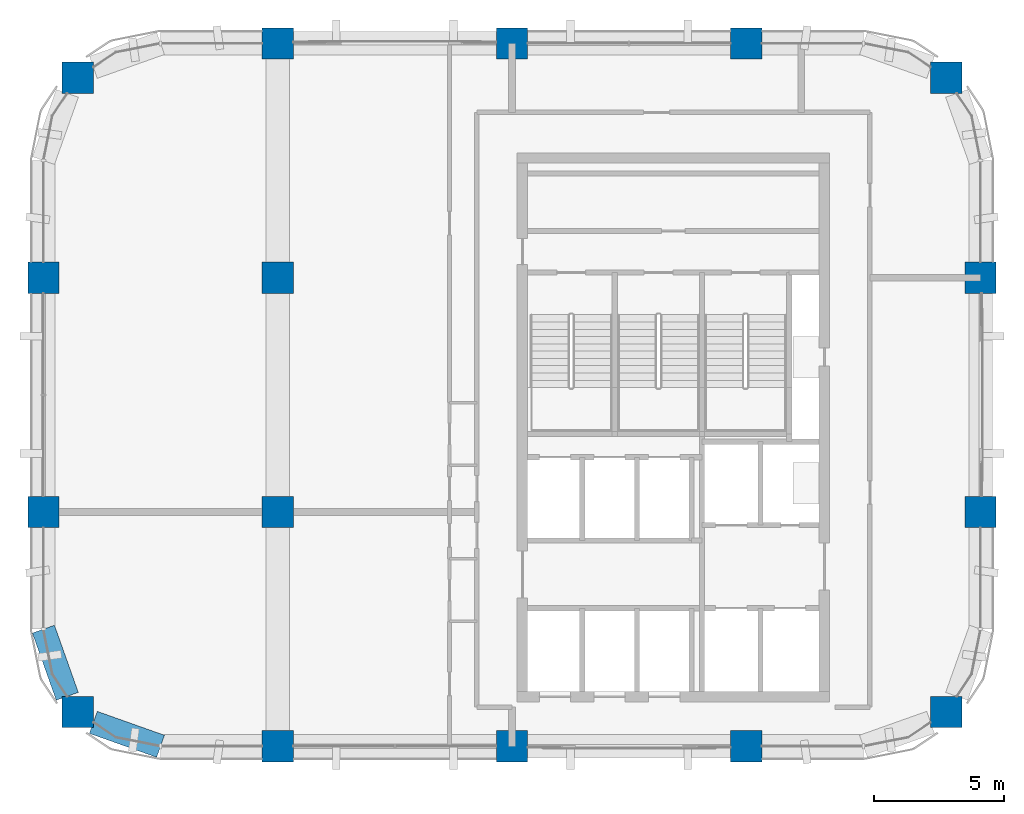
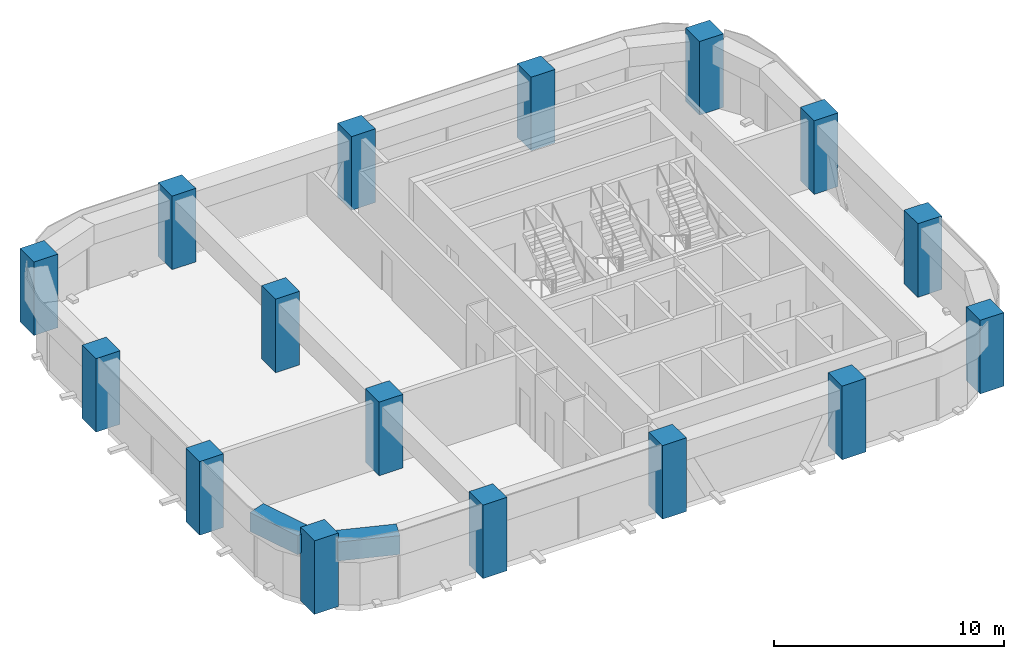
# One storey, part 1 of 9: 16 columns, 2 beams.
"""IFC4 building model written with IfcOpenShell, lengths in metres."""

from ifc_helpers import new_model, si_unit, direction, frame, origin, origin_2d, place, context, subcontext, project, spatial, rectangle, extrude, material, material_profile, profile_set, type_object, element, save


model = new_model("IFC4")

# Units and contexts
model_context = context("Model", 3, precision=1e-05, world=origin(), true_north=direction((0.0, 1.0)))
body_context = subcontext(model_context, "Body", "Model", "MODEL_VIEW")
ifc_project = project(units=[si_unit("LENGTHUNIT", "METRE"), si_unit("AREAUNIT", "SQUARE_METRE"), si_unit("VOLUMEUNIT", "CUBIC_METRE"), si_unit("PLANEANGLEUNIT", "RADIAN"), si_unit("MASSUNIT", "GRAM", prefix="KILO")], contexts=[model_context])

# Site, building, storey
site_placement = place(None, origin())
site = spatial("IfcSite", under=ifc_project, at=site_placement, CompositionType="ELEMENT")
building_placement = place(site_placement, origin())
building = spatial("IfcBuilding", under=site, at=building_placement, Name="Tessera Arch", CompositionType="ELEMENT")
storey_placement = place(building_placement, frame((0.0, 0.0, 277.39990234375)))
storey = spatial("IfcBuildingStorey", under=building, at=storey_placement, Name="L67", CompositionType="ELEMENT", Elevation=277.39990234375)

# Columns
ifc_material_1 = material(Name="Concrete C60/75", Category="concrete")
ifc_material_profile_1 = material_profile(ifc_material_1, rectangle(XDim=1.199951171875, YDim=1.199951171875, at=origin_2d()), Name="RC column 1200 x 1200 Concrete C60/75")
ifc_profile_set_1 = profile_set([ifc_material_profile_1], Name="Concrete C60/75")
column_type = type_object("IfcColumnType", Name="RC column 1200 x 1200 Concrete C60/75", PredefinedType="COLUMN", material=ifc_profile_set_1)
for number, where, z_axis, x_axis, name in (
    (1, (19.318115234375, 28.318115234375, 0.0), (0.0, 0.0, 1.0), (1.0, 0.0, 0.0), "Column C3D L67"),
    (2, (18.0, 36.0, 0.0), (0.0, 0.0, 1.0), (1.0, 0.0, 0.0), "Column C3E L67"),
    (3, (18.0, 45.0, 0.0), (0.0, 0.0, 1.0), (1.0, 0.0, 0.0), "Column C3F L67"),
    (4, (19.318115234375, 52.681884765625, 0.0), (0.0, 0.0, 1.0), (1.0, 0.0, 0.0), "Column C3G L67"),
    (5, (27.0, 27.0, 0.0), (0.0, 0.0, 1.0), (1.0, 0.0, 0.0), "Column C4D L67"),
    (6, (27.0, 36.0, 0.0), (0.0, 0.0, 1.0), (1.0, 0.0, 0.0), "Column C4E L67"),
    (7, (27.0, 45.0, 0.0), (0.0, 0.0, 1.0), (1.0, 0.0, 0.0), "Column C4F L67"),
    (8, (27.0, 54.0, 0.0), (0.0, 0.0, 1.0), (1.0, 0.0, 0.0), "Column C4G L67"),
    (9, (36.0, 27.0, 0.0), (0.0, 0.0, 1.0), (1.0, 0.0, 0.0), "Column C5D L67"),
    (10, (36.0, 54.0, 0.0), (0.0, 0.0, 1.0), (1.0, 0.0, 0.0), "Column C5G L67"),
    (11, (45.0, 27.0, 0.0), (0.0, 0.0, 1.0), (1.0, 0.0, 0.0), "Column C6D L67"),
    (12, (45.0, 54.0, 0.0), (0.0, 0.0, 1.0), (1.0, 0.0, 0.0), "Column C6G L67"),
    (13, (52.681884765625, 28.318115234375, 0.0), (0.0, 0.0, 1.0), (1.0, 0.0, 0.0), "Column C7D L67"),
    (14, (54.0, 36.0, 0.0), (0.0, 0.0, 1.0), (1.0, 0.0, 0.0), "Column C7E L67"),
    (15, (54.0, 45.0, 0.0), (0.0, 0.0, 1.0), (1.0, 0.0, 0.0), "Column C7F L67"),
    (16, (52.681884765625, 52.681884765625, 0.0), (0.0, 0.0, 1.0), (1.0, 0.0, 0.0), "Column C7G L67"),
):
    element("IfcColumn", number, at=place(storey_placement, frame(where, z_axis=z_axis, x_axis=x_axis)), inside=storey, type_object=column_type, Name=name, PredefinedType="COLUMN", context=body_context, shape_type="SweptSolid", body=[
        extrude(rectangle(XDim=1.199951171875, YDim=1.199951171875, at=origin_2d()), origin(), (0.0, 0.0, 1.0), 3.900146484375),
    ])

# Beams
ifc_material_2 = material(Name="Concrete C60/75", Category="concrete")
ifc_material_profile_2 = material_profile(ifc_material_2, rectangle(XDim=0.89990234375, YDim=1.0, at=origin_2d()), Name="RC spandrel beam 900 x 1000 Concrete C60/75")
ifc_profile_set_2 = profile_set([ifc_material_profile_2], Name="Concrete C60/75")
beam_type = type_object("IfcBeamType", Name="RC spandrel beam 900 x 1000 Concrete C60/75", PredefinedType="BEAM", material=ifc_profile_set_2)
for number, where, z_axis, x_axis, name in (
    (17, (18.0, 31.5, 3.10009765625), (0.334665114373, -0.942337127159, 0.0), (0.942337127159, 0.334665114373, 0.0), "Spandrel beam L67 W18.27/2.2"),
    (18, (19.91796875, 27.9169921875, 3.10009765625), (0.942337127159, -0.334665114373, 0.0), (0.334665114373, 0.942337127159, 0.0), "Spandrel beam L67 S27.18/0.1"),
):
    element("IfcBeam", number, at=place(storey_placement, frame(where, z_axis=z_axis, x_axis=x_axis)), inside=storey, type_object=beam_type, Name=name, PredefinedType="BEAM", context=body_context, shape_type="SweptSolid", body=[
        extrude(rectangle(XDim=0.89990234375, YDim=1.0, at=origin_2d()), origin(), (0.0, 0.0, 1.0), 2.739990234375),
    ])

save(model, "model.ifc")
